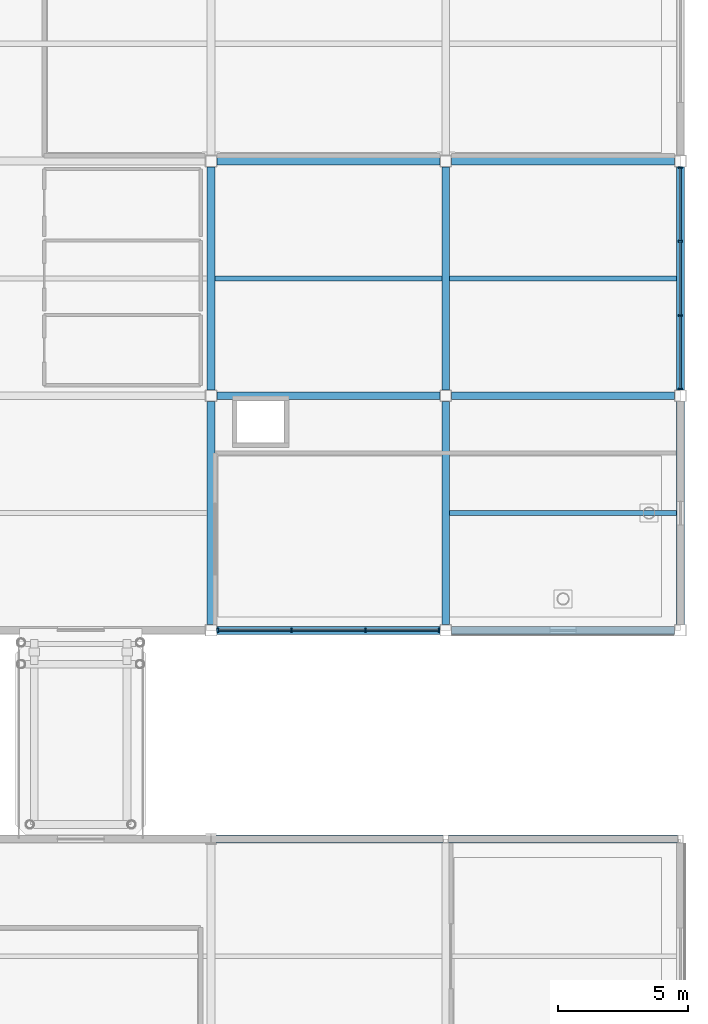
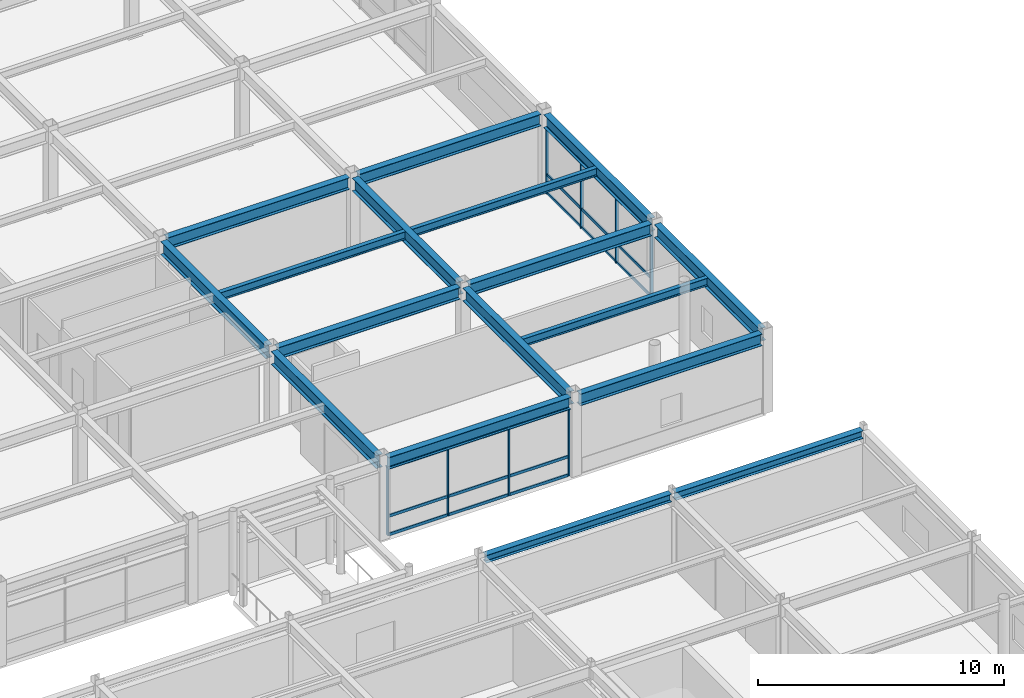
# One storey, part 55 of 105: 26 members, 17 beams, 2 elements without a shape of their own.
"""IFC4 building model written with IfcOpenShell, lengths in metres."""

from ifc_helpers import new_model, si_unit, direction, frame, origin, origin_2d, place, context, subcontext, project, spatial, rectangle, i_section, extrude, material, material_profile, profile_set, type_object, element, aggregate, save


model = new_model("IFC4")

# Units and contexts
model_context = context("Model", 3, precision=1e-05, world=origin(), true_north=direction((0.0, 1.0)))
body_context = subcontext(model_context, "Body", "Model", "MODEL_VIEW")
ifc_project = project(units=[si_unit("LENGTHUNIT", "METRE"), si_unit("AREAUNIT", "SQUARE_METRE"), si_unit("VOLUMEUNIT", "CUBIC_METRE"), si_unit("PLANEANGLEUNIT", "RADIAN"), si_unit("MASSUNIT", "GRAM", prefix="KILO")], contexts=[model_context])

# Site, building, storey
site_placement = place(None, origin())
site = spatial("IfcSite", under=ifc_project, at=site_placement, CompositionType="ELEMENT")
building_placement = place(site_placement, origin())
building = spatial("IfcBuilding", under=site, at=building_placement, Name="Suzunagisa Mobility Hub", CompositionType="ELEMENT")
storey_placement = place(building_placement, frame((0.0, 0.0, 5.10009765625)))
storey = spatial("IfcBuildingStorey", under=building, at=storey_placement, Name="L01", CompositionType="ELEMENT", Elevation=5.10009765625)

# Curtain wall, members
ifc_material_1 = material(Name="Thermally Broken Anodized Aluminum and Low-E Glazing", Category="aluminium")
curtain_wall_type_1 = type_object("IfcCurtainWallType", Name="Unitised Curtain Wall CW-29 8500x3400", PredefinedType="USERDEFINED", material=ifc_material_1)
curtain_wall_1_placement = place(storey_placement, origin())
curtain_wall_1 = element("IfcCurtainWall", 1, at=curtain_wall_1_placement, inside=storey, type_object=curtain_wall_type_1, Name="L01 Unitised Curtain Wall CW-184", ObjectType="UNITISED CURTAIN WALL", PredefinedType="USERDEFINED")
ifc_material_2 = material(Name="Anodized Aluminum 6063-T6", Category="aluminium")
ifc_material_profile_1 = material_profile(ifc_material_2, rectangle(XDim=0.06494140625, YDim=0.139892578125, at=origin_2d()), Name="TRAN-65x140")
ifc_profile_set_1 = profile_set([ifc_material_profile_1], Name="Anodized Aluminum 6063-T6")
member_type_1 = type_object("IfcMemberType", Name="Curtain Wall Framing CM-01 TRAN-65x140", PredefinedType="USERDEFINED", material=ifc_profile_set_1)
member_1_placement = place(storey_placement, frame((162.282958984375, 44.0, 0.032470703125), z_axis=(1.0, 0.0, 0.0), x_axis=(0.0, 1.0, 0.0)))
member_1 = element("IfcMember", 2, at=member_1_placement, type_object=member_type_1, Name="Curtain Wall Transom 184-T1.1", ObjectType="TRANSOM", PredefinedType="USERDEFINED", context=body_context, shape_type="SweptSolid", body=[
    extrude(rectangle(XDim=0.06494140625, YDim=0.139892578125, at=origin_2d()), origin(), (0.0, 0.0, 1.0), 2.76416015625),
])
member_2_placement = place(storey_placement, frame((162.282958984375, 44.0, 0.949951171875), z_axis=(1.0, 0.0, 0.0), x_axis=(0.0, 1.0, 0.0)))
member_2 = element("IfcMember", 3, at=member_2_placement, type_object=member_type_1, Name="Curtain Wall Transom 184-T1.2", ObjectType="TRANSOM", PredefinedType="USERDEFINED", context=body_context, shape_type="SweptSolid", body=[
    extrude(rectangle(XDim=0.06494140625, YDim=0.139892578125, at=origin_2d()), origin(), (0.0, 0.0, 1.0), 2.76416015625),
])
member_3_placement = place(storey_placement, frame((162.282958984375, 44.0, 3.329345703125), z_axis=(1.0, 0.0, 0.0), x_axis=(0.0, 1.0, 0.0)))
member_3 = element("IfcMember", 4, at=member_3_placement, type_object=member_type_1, Name="Curtain Wall Transom 184-T1.3", ObjectType="TRANSOM", PredefinedType="USERDEFINED", context=body_context, shape_type="SweptSolid", body=[
    extrude(rectangle(XDim=0.06494140625, YDim=0.139892578125, at=origin_2d()), origin(), (0.0, 0.0, 1.0), 2.76416015625),
])
member_4_placement = place(storey_placement, frame((165.10302734375, 44.0, 0.032470703125), z_axis=(1.0, 0.0, 0.0), x_axis=(0.0, 1.0, 0.0)))
member_4 = element("IfcMember", 5, at=member_4_placement, type_object=member_type_1, Name="Curtain Wall Transom 184-T2.1", ObjectType="TRANSOM", PredefinedType="USERDEFINED", context=body_context, shape_type="SweptSolid", body=[
    extrude(rectangle(XDim=0.06494140625, YDim=0.139892578125, at=origin_2d()), origin(), (0.0, 0.0, 1.0), 2.7939453125),
])
member_5_placement = place(storey_placement, frame((165.10302734375, 44.0, 0.949951171875), z_axis=(1.0, 0.0, 0.0), x_axis=(0.0, 1.0, 0.0)))
member_5 = element("IfcMember", 6, at=member_5_placement, type_object=member_type_1, Name="Curtain Wall Transom 184-T2.2", ObjectType="TRANSOM", PredefinedType="USERDEFINED", context=body_context, shape_type="SweptSolid", body=[
    extrude(rectangle(XDim=0.06494140625, YDim=0.139892578125, at=origin_2d()), origin(), (0.0, 0.0, 1.0), 2.7939453125),
])
member_6_placement = place(storey_placement, frame((165.10302734375, 44.0, 3.329345703125), z_axis=(1.0, 0.0, 0.0), x_axis=(0.0, 1.0, 0.0)))
member_6 = element("IfcMember", 7, at=member_6_placement, type_object=member_type_1, Name="Curtain Wall Transom 184-T2.3", ObjectType="TRANSOM", PredefinedType="USERDEFINED", context=body_context, shape_type="SweptSolid", body=[
    extrude(rectangle(XDim=0.06494140625, YDim=0.139892578125, at=origin_2d()), origin(), (0.0, 0.0, 1.0), 2.7939453125),
])
member_7_placement = place(storey_placement, frame((167.952880859375, 44.0, 0.032470703125), z_axis=(1.0, 0.0, 0.0), x_axis=(0.0, 1.0, 0.0)))
member_7 = element("IfcMember", 8, at=member_7_placement, type_object=member_type_1, Name="Curtain Wall Transom 184-T3.1", ObjectType="TRANSOM", PredefinedType="USERDEFINED", context=body_context, shape_type="SweptSolid", body=[
    extrude(rectangle(XDim=0.06494140625, YDim=0.139892578125, at=origin_2d()), origin(), (0.0, 0.0, 1.0), 2.76416015625),
])
member_8_placement = place(storey_placement, frame((167.952880859375, 44.0, 0.949951171875), z_axis=(1.0, 0.0, 0.0), x_axis=(0.0, 1.0, 0.0)))
member_8 = element("IfcMember", 9, at=member_8_placement, type_object=member_type_1, Name="Curtain Wall Transom 184-T3.2", ObjectType="TRANSOM", PredefinedType="USERDEFINED", context=body_context, shape_type="SweptSolid", body=[
    extrude(rectangle(XDim=0.06494140625, YDim=0.139892578125, at=origin_2d()), origin(), (0.0, 0.0, 1.0), 2.76416015625),
])
member_9_placement = place(storey_placement, frame((167.952880859375, 44.0, 3.329345703125), z_axis=(1.0, 0.0, 0.0), x_axis=(0.0, 1.0, 0.0)))
member_9 = element("IfcMember", 10, at=member_9_placement, type_object=member_type_1, Name="Curtain Wall Transom 184-T3.3", ObjectType="TRANSOM", PredefinedType="USERDEFINED", context=body_context, shape_type="SweptSolid", body=[
    extrude(rectangle(XDim=0.06494140625, YDim=0.139892578125, at=origin_2d()), origin(), (0.0, 0.0, 1.0), 2.76416015625),
])

curtain_wall_type_2 = type_object("IfcCurtainWallType", Name="Unitised Curtain Wall CW-43 8500x3300", PredefinedType="USERDEFINED", material=ifc_material_1)
curtain_wall_2_placement = place(storey_placement, origin())
curtain_wall_2 = element("IfcCurtainWall", 11, at=curtain_wall_2_placement, inside=storey, type_object=curtain_wall_type_2, Name="L01 Unitised Curtain Wall CW-185", ObjectType="UNITISED CURTAIN WALL", PredefinedType="USERDEFINED")
member_10_placement = place(storey_placement, frame((180.0, 53.282958984375, 0.032470703125), z_axis=(0.0, 1.0, 0.0), x_axis=(-1.0, 0.0, 0.0)))
member_10 = element("IfcMember", 12, at=member_10_placement, type_object=member_type_1, Name="Curtain Wall Transom 185-T1.1", ObjectType="TRANSOM", PredefinedType="USERDEFINED", context=body_context, shape_type="SweptSolid", body=[
    extrude(rectangle(XDim=0.06494140625, YDim=0.139892578125, at=origin_2d()), origin(), (0.0, 0.0, 1.0), 2.76416015625),
])
member_11_placement = place(storey_placement, frame((180.0, 53.282958984375, 0.949951171875), z_axis=(0.0, 1.0, 0.0), x_axis=(-1.0, 0.0, 0.0)))
member_11 = element("IfcMember", 13, at=member_11_placement, type_object=member_type_1, Name="Curtain Wall Transom 185-T1.2", ObjectType="TRANSOM", PredefinedType="USERDEFINED", context=body_context, shape_type="SweptSolid", body=[
    extrude(rectangle(XDim=0.06494140625, YDim=0.139892578125, at=origin_2d()), origin(), (0.0, 0.0, 1.0), 2.76416015625),
])
member_12_placement = place(storey_placement, frame((180.0, 53.282958984375, 3.267333984375), z_axis=(0.0, 1.0, 0.0), x_axis=(-1.0, 0.0, 0.0)))
member_12 = element("IfcMember", 14, at=member_12_placement, type_object=member_type_1, Name="Curtain Wall Transom 185-T1.3", ObjectType="TRANSOM", PredefinedType="USERDEFINED", context=body_context, shape_type="SweptSolid", body=[
    extrude(rectangle(XDim=0.06494140625, YDim=0.139892578125, at=origin_2d()), origin(), (0.0, 0.0, 1.0), 2.76416015625),
])
member_13_placement = place(storey_placement, frame((180.0, 56.10302734375, 0.032470703125), z_axis=(0.0, 1.0, 0.0), x_axis=(-1.0, 0.0, 0.0)))
member_13 = element("IfcMember", 15, at=member_13_placement, type_object=member_type_1, Name="Curtain Wall Transom 185-T2.1", ObjectType="TRANSOM", PredefinedType="USERDEFINED", context=body_context, shape_type="SweptSolid", body=[
    extrude(rectangle(XDim=0.06494140625, YDim=0.139892578125, at=origin_2d()), origin(), (0.0, 0.0, 1.0), 2.7939453125),
])
member_14_placement = place(storey_placement, frame((180.0, 56.10302734375, 0.949951171875), z_axis=(0.0, 1.0, 0.0), x_axis=(-1.0, 0.0, 0.0)))
member_14 = element("IfcMember", 16, at=member_14_placement, type_object=member_type_1, Name="Curtain Wall Transom 185-T2.2", ObjectType="TRANSOM", PredefinedType="USERDEFINED", context=body_context, shape_type="SweptSolid", body=[
    extrude(rectangle(XDim=0.06494140625, YDim=0.139892578125, at=origin_2d()), origin(), (0.0, 0.0, 1.0), 2.7939453125),
])
member_15_placement = place(storey_placement, frame((180.0, 56.10302734375, 3.267333984375), z_axis=(0.0, 1.0, 0.0), x_axis=(-1.0, 0.0, 0.0)))
member_15 = element("IfcMember", 17, at=member_15_placement, type_object=member_type_1, Name="Curtain Wall Transom 185-T2.3", ObjectType="TRANSOM", PredefinedType="USERDEFINED", context=body_context, shape_type="SweptSolid", body=[
    extrude(rectangle(XDim=0.06494140625, YDim=0.139892578125, at=origin_2d()), origin(), (0.0, 0.0, 1.0), 2.7939453125),
])
member_16_placement = place(storey_placement, frame((180.0, 58.952880859375, 0.032470703125), z_axis=(0.0, 1.0, 0.0), x_axis=(-1.0, 0.0, 0.0)))
member_16 = element("IfcMember", 18, at=member_16_placement, type_object=member_type_1, Name="Curtain Wall Transom 185-T3.1", ObjectType="TRANSOM", PredefinedType="USERDEFINED", context=body_context, shape_type="SweptSolid", body=[
    extrude(rectangle(XDim=0.06494140625, YDim=0.139892578125, at=origin_2d()), origin(), (0.0, 0.0, 1.0), 2.76416015625),
])
member_17_placement = place(storey_placement, frame((180.0, 58.952880859375, 0.949951171875), z_axis=(0.0, 1.0, 0.0), x_axis=(-1.0, 0.0, 0.0)))
member_17 = element("IfcMember", 19, at=member_17_placement, type_object=member_type_1, Name="Curtain Wall Transom 185-T3.2", ObjectType="TRANSOM", PredefinedType="USERDEFINED", context=body_context, shape_type="SweptSolid", body=[
    extrude(rectangle(XDim=0.06494140625, YDim=0.139892578125, at=origin_2d()), origin(), (0.0, 0.0, 1.0), 2.76416015625),
])
member_18_placement = place(storey_placement, frame((180.0, 58.952880859375, 3.267333984375), z_axis=(0.0, 1.0, 0.0), x_axis=(-1.0, 0.0, 0.0)))
member_18 = element("IfcMember", 20, at=member_18_placement, type_object=member_type_1, Name="Curtain Wall Transom 185-T3.3", ObjectType="TRANSOM", PredefinedType="USERDEFINED", context=body_context, shape_type="SweptSolid", body=[
    extrude(rectangle(XDim=0.06494140625, YDim=0.139892578125, at=origin_2d()), origin(), (0.0, 0.0, 1.0), 2.76416015625),
])

# Member
ifc_material_profile_2 = material_profile(ifc_material_2, rectangle(XDim=0.06005859375, YDim=0.14990234375, at=origin_2d()), Name="MULL-60x150")
ifc_profile_set_2 = profile_set([ifc_material_profile_2], Name="Anodized Aluminum 6063-T6")
member_type_2 = type_object("IfcMemberType", Name="Curtain Wall Framing CM-03 MULL-60x150", PredefinedType="MULLION", material=ifc_profile_set_2)
member_19_placement = place(storey_placement, frame((162.2548828125, 44.0, 0.0), z_axis=(0.0, 0.0, 1.0), x_axis=(1.0, 0.0, 0.0)))
member_19 = element("IfcMember", 21, at=member_19_placement, type_object=member_type_2, Name="Curtain Wall Mullion 184-M1", PredefinedType="MULLION", context=body_context, shape_type="SweptSolid", body=[
    extrude(rectangle(XDim=0.06005859375, YDim=0.14990234375, at=origin_2d()), origin(), (0.0, 0.0, 1.0), 3.36181640625),
])

member_20_placement = place(storey_placement, frame((165.074951171875, 44.0, 0.0), z_axis=(0.0, 0.0, 1.0), x_axis=(1.0, 0.0, 0.0)))
member_20 = element("IfcMember", 22, at=member_20_placement, type_object=member_type_2, Name="Curtain Wall Mullion 184-M2", PredefinedType="MULLION", context=body_context, shape_type="SweptSolid", body=[
    extrude(rectangle(XDim=0.06005859375, YDim=0.14990234375, at=origin_2d()), origin(), (0.0, 0.0, 1.0), 3.36181640625),
])

member_21_placement = place(storey_placement, frame((167.925048828125, 44.0, 0.0), z_axis=(0.0, 0.0, 1.0), x_axis=(1.0, 0.0, 0.0)))
member_21 = element("IfcMember", 23, at=member_21_placement, type_object=member_type_2, Name="Curtain Wall Mullion 184-M3", PredefinedType="MULLION", context=body_context, shape_type="SweptSolid", body=[
    extrude(rectangle(XDim=0.06005859375, YDim=0.14990234375, at=origin_2d()), origin(), (0.0, 0.0, 1.0), 3.36181640625),
])

member_22_placement = place(storey_placement, frame((170.7451171875, 44.0, 0.0), z_axis=(0.0, 0.0, 1.0), x_axis=(1.0, 0.0, 0.0)))
member_22 = element("IfcMember", 24, at=member_22_placement, type_object=member_type_2, Name="Curtain Wall Mullion 184-M4", PredefinedType="MULLION", context=body_context, shape_type="SweptSolid", body=[
    extrude(rectangle(XDim=0.06005859375, YDim=0.14990234375, at=origin_2d()), origin(), (0.0, 0.0, 1.0), 3.36181640625),
])

aggregate(curtain_wall_1, [member_19, member_20, member_21, member_22, member_1, member_2, member_3, member_4, member_5, member_6, member_7, member_8, member_9])

member_23_placement = place(storey_placement, frame((180.0, 53.2548828125, 0.0), z_axis=(0.0, 0.0, 1.0), x_axis=(0.0, 1.0, 0.0)))
member_23 = element("IfcMember", 25, at=member_23_placement, type_object=member_type_2, Name="Curtain Wall Mullion 185-M1", PredefinedType="MULLION", context=body_context, shape_type="SweptSolid", body=[
    extrude(rectangle(XDim=0.06005859375, YDim=0.14990234375, at=origin_2d()), origin(), (0.0, 0.0, 1.0), 3.2998046875),
])

member_24_placement = place(storey_placement, frame((180.0, 56.074951171875, 0.0), z_axis=(0.0, 0.0, 1.0), x_axis=(0.0, 1.0, 0.0)))
member_24 = element("IfcMember", 26, at=member_24_placement, type_object=member_type_2, Name="Curtain Wall Mullion 185-M2", PredefinedType="MULLION", context=body_context, shape_type="SweptSolid", body=[
    extrude(rectangle(XDim=0.06005859375, YDim=0.14990234375, at=origin_2d()), origin(), (0.0, 0.0, 1.0), 3.2998046875),
])

member_25_placement = place(storey_placement, frame((180.0, 58.925048828125, 0.0), z_axis=(0.0, 0.0, 1.0), x_axis=(0.0, 1.0, 0.0)))
member_25 = element("IfcMember", 27, at=member_25_placement, type_object=member_type_2, Name="Curtain Wall Mullion 185-M3", PredefinedType="MULLION", context=body_context, shape_type="SweptSolid", body=[
    extrude(rectangle(XDim=0.06005859375, YDim=0.14990234375, at=origin_2d()), origin(), (0.0, 0.0, 1.0), 3.2998046875),
])

member_26_placement = place(storey_placement, frame((180.0, 61.7451171875, 0.0), z_axis=(0.0, 0.0, 1.0), x_axis=(0.0, 1.0, 0.0)))
member_26 = element("IfcMember", 28, at=member_26_placement, type_object=member_type_2, Name="Curtain Wall Mullion 185-M4", PredefinedType="MULLION", context=body_context, shape_type="SweptSolid", body=[
    extrude(rectangle(XDim=0.06005859375, YDim=0.14990234375, at=origin_2d()), origin(), (0.0, 0.0, 1.0), 3.2998046875),
])

aggregate(curtain_wall_2, [member_23, member_24, member_25, member_26, member_10, member_11, member_12, member_13, member_14, member_15, member_16, member_17, member_18])

# Beams
ifc_material_3 = material(Name="Steel SN490B", Category="steel")
ifc_material_profile_3 = material_profile(ifc_material_3, i_section(OverallWidth=0.300048828125, OverallDepth=0.64990234375, WebThickness=0.012939453125, FlangeThickness=0.02197265625, FilletRadius=0.01611328125, at=origin_2d()), Name="H-650x300x13x22")
ifc_profile_set_3 = profile_set([ifc_material_profile_3], Name="Steel SN490B")
beam_type_1 = type_object("IfcBeamType", Name="Steel Beam BM-10 H-650x300x13x22", PredefinedType="BEAM", material=ifc_profile_set_3)
for number, where, z_axis, x_axis, name in (
    (29, (162.0, 44.220947265625, 3.625), (0.0, 1.0, 0.0), (-1.0, 0.0, 0.0), "L01 Primary Girder GY-1835"),
    (30, (162.0, 53.220947265625, 3.625), (0.0, 1.0, 0.0), (-1.0, 0.0, 0.0), "L01 Primary Girder GY-1836"),
    (31, (171.0, 44.220947265625, 3.625), (0.0, 1.0, 0.0), (-1.0, 0.0, 0.0), "L01 Primary Girder GY-1841"),
    (32, (171.0, 53.220947265625, 3.625), (0.0, 1.0, 0.0), (-1.0, 0.0, 0.0), "L01 Primary Girder GY-1842"),
    (33, (180.0, 44.220947265625, 3.625), (0.0, 1.0, 0.0), (-1.0, 0.0, 0.0), "L01 Primary Girder GY-1847"),
    (34, (180.0, 53.220947265625, 3.625), (0.0, 1.0, 0.0), (-1.0, 0.0, 0.0), "L01 Primary Girder GY-1848"),
):
    element("IfcBeam", number, at=place(storey_placement, frame(where, z_axis=z_axis, x_axis=x_axis)), inside=storey, type_object=beam_type_1, Name=name, PredefinedType="BEAM", context=body_context, shape_type="SweptSolid", body=[
        extrude(i_section(OverallWidth=0.300048828125, OverallDepth=0.64990234375, WebThickness=0.012939453125, FlangeThickness=0.02197265625, FilletRadius=0.01611328125, at=origin_2d()), origin(), (0.0, 0.0, 1.0), 8.55810546875),
    ])
ifc_material_profile_4 = material_profile(ifc_material_3, i_section(OverallWidth=0.300048828125, OverallDepth=0.389892578125, WebThickness=0.010009765625, FlangeThickness=0.01611328125, FilletRadius=0.012939453125, at=origin_2d()), Name="H-390x300x10x16")
ifc_profile_set_4 = profile_set([ifc_material_profile_4], Name="Steel SN490B")
beam_type_2 = type_object("IfcBeamType", Name="Steel Beam BM-13 H-390x300x10x16", PredefinedType="SPANDREL", material=ifc_profile_set_4)
beam_1_placement = place(storey_placement, frame((162.196044921875, 36.0, 3.7548828125), z_axis=(1.0, 0.0, 0.0), x_axis=(0.0, 1.0, 0.0)))
element("IfcBeam", 35, at=beam_1_placement, inside=storey, type_object=beam_type_2, Name="L01 Primary Girder GX-1487", PredefinedType="SPANDREL", context=body_context, shape_type="SweptSolid", body=[
    extrude(i_section(OverallWidth=0.300048828125, OverallDepth=0.389892578125, WebThickness=0.010009765625, FlangeThickness=0.01611328125, FilletRadius=0.012939453125, at=origin_2d()), origin(), (0.0, 0.0, 1.0), 8.7080078125),
])
beam_2_placement = place(storey_placement, frame((171.095947265625, 36.0, 3.7548828125), z_axis=(1.0, 0.0, 0.0), x_axis=(0.0, 1.0, 0.0)))
element("IfcBeam", 36, at=beam_2_placement, inside=storey, type_object=beam_type_2, Name="L01 Primary Girder GX-1488", PredefinedType="SPANDREL", context=body_context, shape_type="SweptSolid", body=[
    extrude(i_section(OverallWidth=0.300048828125, OverallDepth=0.389892578125, WebThickness=0.010009765625, FlangeThickness=0.01611328125, FilletRadius=0.012939453125, at=origin_2d()), origin(), (0.0, 0.0, 1.0), 8.80810546875),
])
ifc_material_4 = material(Name="Steel SN400B", Category="steel")
ifc_material_profile_5 = material_profile(ifc_material_4, i_section(OverallWidth=0.199951171875, OverallDepth=0.39990234375, WebThickness=0.008056640625, FlangeThickness=0.012939453125, FilletRadius=0.012939453125, at=origin_2d()), Name="H-400x200x8x13")
ifc_profile_set_5 = profile_set([ifc_material_profile_5], Name="Steel SN400B")
beam_type_3 = type_object("IfcBeamType", Name="Steel Beam BM-14 H-400x200x8x13", PredefinedType="JOIST", material=ifc_profile_set_5)
for number, where, z_axis, x_axis, name in (
    (37, (162.14990234375, 57.5, 3.75), (1.0, 0.0, 0.0), (0.0, 1.0, 0.0), "L01 Composite Floor Joist J-1862"),
    (38, (171.14990234375, 48.5, 3.75), (1.0, 0.0, 0.0), (0.0, 1.0, 0.0), "L01 Composite Floor Joist J-1867"),
    (39, (171.14990234375, 57.5, 3.75), (1.0, 0.0, 0.0), (0.0, 1.0, 0.0), "L01 Composite Floor Joist J-1868"),
):
    element("IfcBeam", number, at=place(storey_placement, frame(where, z_axis=z_axis, x_axis=x_axis)), inside=storey, type_object=beam_type_3, Name=name, PredefinedType="JOIST", context=body_context, shape_type="SweptSolid", body=[
        extrude(i_section(OverallWidth=0.199951171875, OverallDepth=0.39990234375, WebThickness=0.008056640625, FlangeThickness=0.012939453125, FilletRadius=0.012939453125, at=origin_2d()), origin(), (0.0, 0.0, 1.0), 8.7001953125),
    ])
ifc_material_profile_6 = material_profile(ifc_material_3, i_section(OverallWidth=0.300048828125, OverallDepth=0.587890625, WebThickness=0.011962890625, FlangeThickness=0.02001953125, FilletRadius=0.012939453125, at=origin_2d()), Name="H-588x300x12x20")
ifc_profile_set_6 = profile_set([ifc_material_profile_6], Name="Steel SN490B")
beam_type_4 = type_object("IfcBeamType", Name="Steel Beam BM-16 H-588x300x12x20", PredefinedType="BEAM", material=ifc_profile_set_6)
for number, where, z_axis, x_axis, name in (
    (40, (162.220947265625, 44.0, 3.656005859375), (1.0, 0.0, 0.0), (0.0, 1.0, 0.0), "L01 Primary Girder GX-1797"),
    (41, (171.220947265625, 44.0, 3.656005859375), (1.0, 0.0, 0.0), (0.0, 1.0, 0.0), "L01 Primary Girder GX-1798"),
    (42, (162.220947265625, 53.0, 3.656005859375), (1.0, 0.0, 0.0), (0.0, 1.0, 0.0), "L01 Primary Girder GX-1801"),
    (43, (171.220947265625, 53.0, 3.656005859375), (1.0, 0.0, 0.0), (0.0, 1.0, 0.0), "L01 Primary Girder GX-1802"),
    (44, (162.220947265625, 62.0, 3.656005859375), (1.0, 0.0, 0.0), (0.0, 1.0, 0.0), "L01 Primary Girder GX-1805"),
    (45, (171.220947265625, 62.0, 3.656005859375), (1.0, 0.0, 0.0), (0.0, 1.0, 0.0), "L01 Primary Girder GX-1806"),
):
    element("IfcBeam", number, at=place(storey_placement, frame(where, z_axis=z_axis, x_axis=x_axis)), inside=storey, type_object=beam_type_4, Name=name, PredefinedType="BEAM", context=body_context, shape_type="SweptSolid", body=[
        extrude(i_section(OverallWidth=0.300048828125, OverallDepth=0.587890625, WebThickness=0.011962890625, FlangeThickness=0.02001953125, FilletRadius=0.012939453125, at=origin_2d()), origin(), (0.0, 0.0, 1.0), 8.55810546875),
    ])

save(model, "model.ifc")
